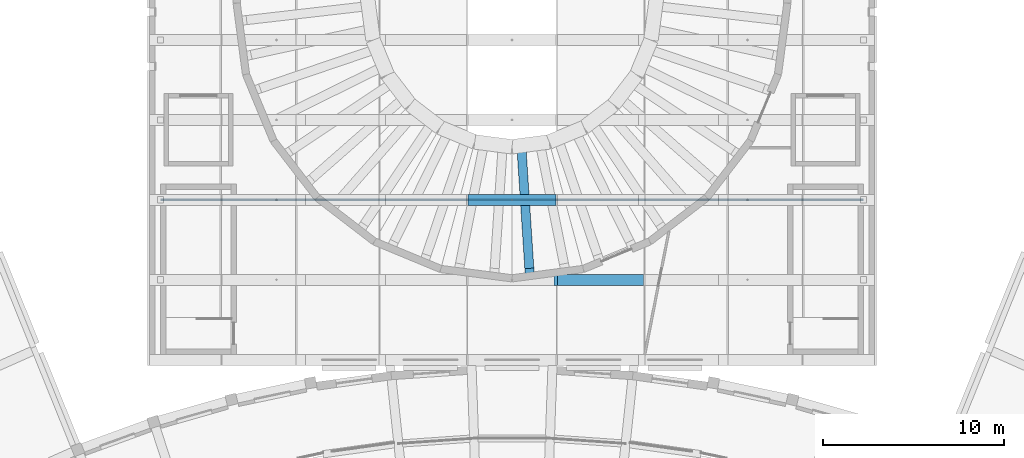
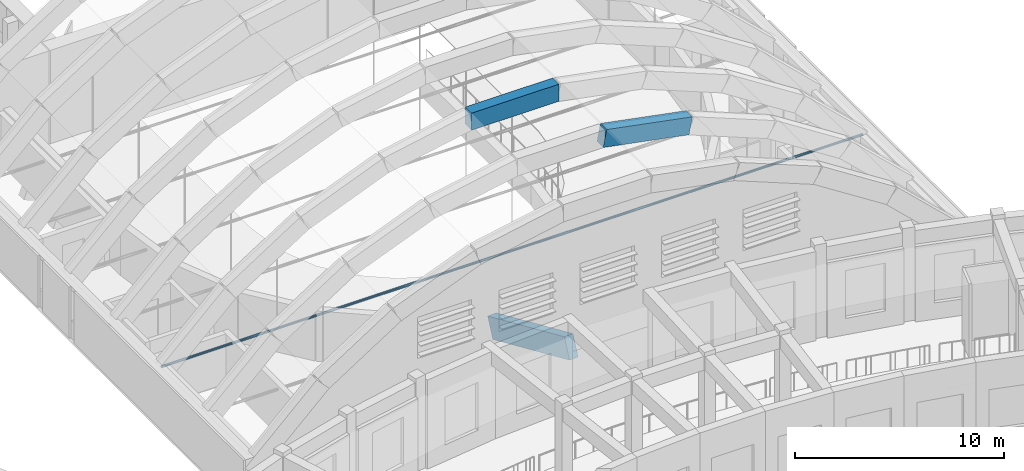
# One storey, part 18 of 94: 3 beams, 1 member.
"""IFC4 building model written with IfcOpenShell, lengths in metres."""

from ifc_helpers import new_model, si_unit, direction, frame, origin, origin_2d, place, context, subcontext, project, spatial, rectangle, hollow_circle, extrude, material, material_profile, profile_set, type_object, element, save


model = new_model("IFC4")

# Units and contexts
model_context = context("Model", 3, precision=1e-05, world=origin(), true_north=direction((0.0, 1.0)))
body_context = subcontext(model_context, "Body", "Model", "MODEL_VIEW")
ifc_project = project(units=[si_unit("LENGTHUNIT", "METRE"), si_unit("AREAUNIT", "SQUARE_METRE"), si_unit("VOLUMEUNIT", "CUBIC_METRE"), si_unit("PLANEANGLEUNIT", "RADIAN"), si_unit("MASSUNIT", "GRAM", prefix="KILO")], contexts=[model_context])

# Site, building, storey
site_placement = place(None, origin())
site = spatial("IfcSite", under=ifc_project, at=site_placement, CompositionType="ELEMENT")
building_placement = place(site_placement, origin())
building = spatial("IfcBuilding", under=site, at=building_placement, Name="Lunette Opera House", CompositionType="ELEMENT")
storey_placement = place(building_placement, frame((0.0, 0.0, 22.5)))
storey = spatial("IfcBuildingStorey", under=building, at=storey_placement, Name="L04", CompositionType="ELEMENT", Elevation=22.5)

# Beams
ifc_material_1 = material(Name="Concrete C40/50", Category="concrete")
ifc_material_profile_1 = material_profile(ifc_material_1, rectangle(XDim=0.60009765625, YDim=1.0, at=origin_2d()), Name="ARCH BEAM 600X1000")
ifc_profile_set_1 = profile_set([ifc_material_profile_1], Name="Concrete C40/50")
beam_type_1 = type_object("IfcBeamType", Name="ARCH BEAM 600X1000", PredefinedType="BEAM", material=ifc_profile_set_1)
beam_1_placement = place(storey_placement, frame((98.4189453125, 68.714111328125, 11.262939453125), z_axis=(0.981908402453, 0.0, -0.189356513466), x_axis=(0.0, 1.0, 0.0)))
element("IfcBeam", 1, at=beam_1_placement, inside=storey, type_object=beam_type_1, Name="beam-AU-L04-EA2-6", PredefinedType="BEAM", context=body_context, shape_type="SweptSolid", body=[
    extrude(rectangle(XDim=0.60009765625, YDim=1.0, at=origin_2d()), origin(), (0.0, 0.0, 1.0), 4.83740234375),
])
beam_2_placement = place(storey_placement, frame((93.5810546875, 73.12890625, 11.262939453125), z_axis=(1.0, 0.0, 0.0), x_axis=(0.0, 1.0, 0.0)))
element("IfcBeam", 2, at=beam_2_placement, inside=storey, type_object=beam_type_1, Name="beam-AU-L04-EA3-5", PredefinedType="BEAM", context=body_context, shape_type="SweptSolid", body=[
    extrude(rectangle(XDim=0.60009765625, YDim=1.0, at=origin_2d()), origin(), (0.0, 0.0, 1.0), 4.837890625),
])

# Member
ifc_material_2 = material(Name="Steel S355", Category="steel")
ifc_material_profile_2 = material_profile(ifc_material_2, hollow_circle(Radius=0.06982421875, WallThickness=0.008056640625, at=origin_2d()), Name="CHS 139.7X8")
ifc_profile_set_2 = profile_set([ifc_material_profile_2], Name="Steel S355")
member_type = type_object("IfcMemberType", Name="CHS 139.7X8", PredefinedType="STRUT", material=ifc_profile_set_2)
member_placement = place(storey_placement, frame((76.60009765625, 73.12890625, 2.699951171875), z_axis=(1.0, 0.0, 0.0), x_axis=(0.0, 1.0, 0.0)))
element("IfcMember", 3, at=member_placement, inside=storey, type_object=member_type, Name="mem-AU-L04-TR3", PredefinedType="STRUT", context=body_context, shape_type="SweptSolid", body=[
    extrude(hollow_circle(Radius=0.06982421875, WallThickness=0.008056640625, at=origin_2d()), origin(), (0.0, 0.0, 1.0), 38.7998046875),
])

# Beam
ifc_material_3 = material(Name="Concrete C35/45", Category="concrete")
ifc_material_profile_3 = material_profile(ifc_material_3, rectangle(XDim=0.5, YDim=1.199951171875, at=origin_2d()), Name="RAKER BEAM 500X1200")
ifc_profile_set_3 = profile_set([ifc_material_profile_3], Name="Concrete C35/45")
beam_type_2 = type_object("IfcBeamType", Name="RAKER BEAM 500X1200", PredefinedType="BEAM", material=ifc_profile_set_3)
beam_3_placement = place(storey_placement, frame((96.970947265625, 69.1279296875, -0.845947265625), z_axis=(-0.060544905842, 0.926792258501, -0.370662142604), x_axis=(-0.997872972674, -0.065188422344, 0.0)))
element("IfcBeam", 4, at=beam_3_placement, inside=storey, type_object=beam_type_2, Name="beam-AU-L04-RKT3-08-1", PredefinedType="BEAM", context=body_context, shape_type="SweptSolid", body=[
    extrude(rectangle(XDim=0.5, YDim=1.199951171875, at=origin_2d()), origin(), (0.0, 0.0, 1.0), 7.13330078125),
])

save(model, "model.ifc")
